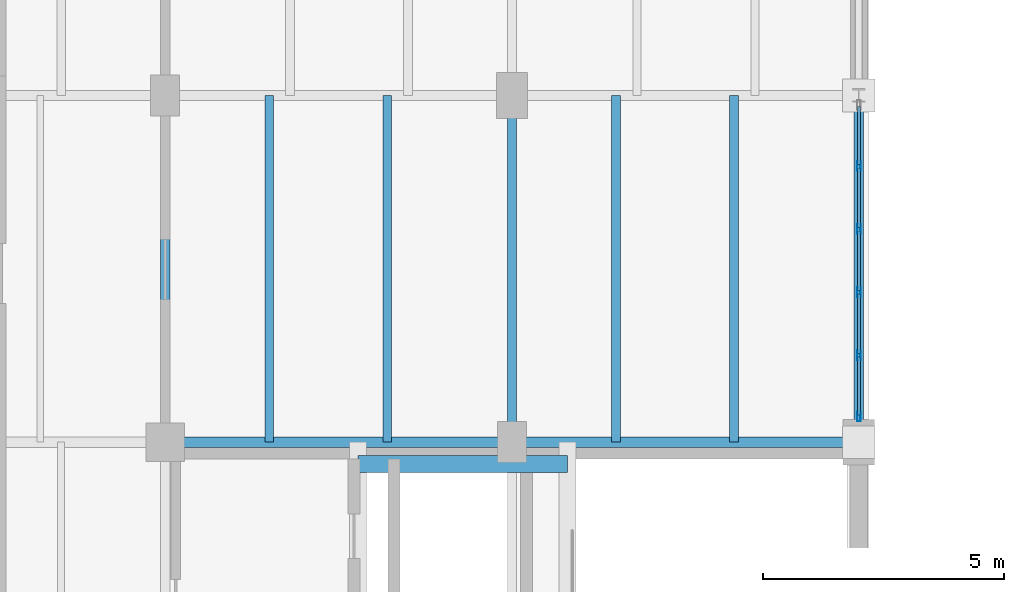
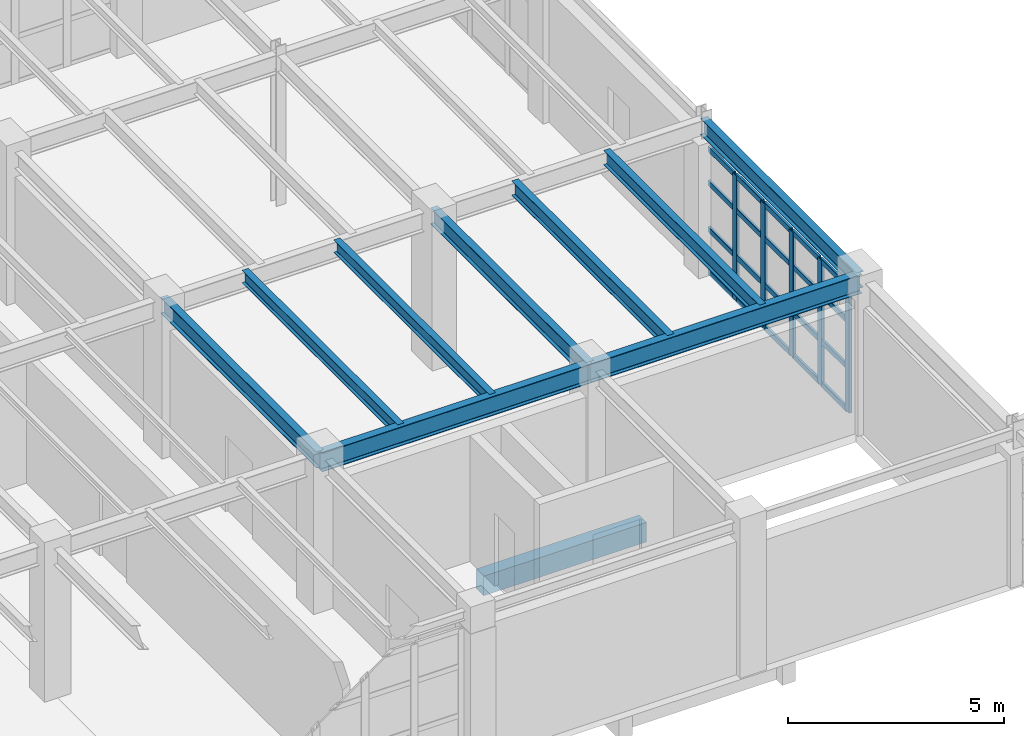
# One storey, part 86 of 137: 25 members, 10 beams, 1 element without a shape of its own.
"""IFC4 building model written with IfcOpenShell, lengths in metres."""

from ifc_helpers import new_model, si_unit, direction, frame, origin, origin_2d, place, context, subcontext, project, spatial, rectangle, hollow_rectangle, i_section, extrude, material, layer, layer_set, material_profile, profile_set, type_object, element, aggregate, save


model = new_model("IFC4")

# Units and contexts
model_context = context("Model", 3, precision=1e-05, world=origin(), true_north=direction((0.0, 1.0)))
body_context = subcontext(model_context, "Body", "Model", "MODEL_VIEW")
ifc_project = project(units=[si_unit("LENGTHUNIT", "METRE"), si_unit("AREAUNIT", "SQUARE_METRE"), si_unit("VOLUMEUNIT", "CUBIC_METRE"), si_unit("PLANEANGLEUNIT", "RADIAN"), si_unit("MASSUNIT", "GRAM", prefix="KILO")], contexts=[model_context])

# Site, building, storey
site_placement = place(None, origin())
site = spatial("IfcSite", under=ifc_project, at=site_placement, CompositionType="ELEMENT")
building_placement = place(site_placement, origin())
building = spatial("IfcBuilding", under=site, at=building_placement, Name="Kemerveld Promenade Tramway Depot", CompositionType="ELEMENT")
storey_placement = place(building_placement, frame((0.0, 0.0, 5.39990234375)))
storey = spatial("IfcBuildingStorey", under=building, at=storey_placement, Name="L01", CompositionType="ELEMENT", Elevation=5.39990234375)

# Beams
ifc_material_1 = material(Name="Steel S355", Category="steel")
ifc_material_profile_1 = material_profile(ifc_material_1, i_section(OverallWidth=0.2099609375, OverallDepth=0.53662109375, WebThickness=0.0107421875, FlangeThickness=0.017333984375, FilletRadius=0.0126953125, at=origin_2d()), Name="533x210x101 UB")
ifc_profile_set_1 = profile_set([ifc_material_profile_1], Name="Steel S355")
beam_type_1 = type_object("IfcBeamType", Name="BM-G05", PredefinedType="BEAM", material=ifc_profile_set_1)
for number, where, z_axis, x_axis, name in (
    (1, (144.0, 57.60009765625, 3.9716796875), (1.0, 0.0, 0.0), (0.0, 1.0, 0.0), "BMX-L01-21-22-J"),
    (2, (151.199951171875, 57.60009765625, 3.9716796875), (1.0, 0.0, 0.0), (0.0, 1.0, 0.0), "BMX-L01-22-23-J"),
):
    element("IfcBeam", number, at=place(storey_placement, frame(where, z_axis=z_axis, x_axis=x_axis)), inside=storey, type_object=beam_type_1, Name=name, PredefinedType="BEAM", context=body_context, shape_type="SweptSolid", body=[
        extrude(i_section(OverallWidth=0.2099609375, OverallDepth=0.53662109375, WebThickness=0.0107421875, FlangeThickness=0.017333984375, FilletRadius=0.0126953125, at=origin_2d()), origin(), (0.0, 0.0, 1.0), 7.199951171875),
    ])
ifc_material_profile_2 = material_profile(ifc_material_1, i_section(OverallWidth=0.19140625, OverallDepth=0.4599609375, WebThickness=0.010009765625, FlangeThickness=0.01611328125, FilletRadius=0.01025390625, at=origin_2d()), Name="457x191x82 UB")
ifc_profile_set_2 = profile_set([ifc_material_profile_2], Name="Steel S355")
beam_type_2 = type_object("IfcBeamType", Name="BM-G06", PredefinedType="BEAM", material=ifc_profile_set_2)
for number, where, z_axis, x_axis, name in (
    (3, (144.0, 57.60009765625, 4.010009765625), (0.0, 1.0, 0.0), (-1.0, 0.0, 0.0), "BMY-L01-21-J-K"),
    (4, (151.199951171875, 57.60009765625, 4.010009765625), (0.0, 1.0, 0.0), (-1.0, 0.0, 0.0), "BMY-L01-22-J-K"),
    (5, (158.39990234375, 57.60009765625, 4.010009765625), (0.0, 1.0, 0.0), (-1.0, 0.0, 0.0), "BMY-L01-23-J-K"),
):
    element("IfcBeam", number, at=place(storey_placement, frame(where, z_axis=z_axis, x_axis=x_axis)), inside=storey, type_object=beam_type_2, Name=name, PredefinedType="BEAM", context=body_context, shape_type="SweptSolid", body=[
        extrude(i_section(OverallWidth=0.19140625, OverallDepth=0.4599609375, WebThickness=0.010009765625, FlangeThickness=0.01611328125, FilletRadius=0.01025390625, at=origin_2d()), origin(), (0.0, 0.0, 1.0), 7.199951171875),
    ])
ifc_material_profile_3 = material_profile(ifc_material_1, i_section(OverallWidth=0.172119140625, OverallDepth=0.35791015625, WebThickness=0.008056640625, FlangeThickness=0.012939453125, FilletRadius=0.01025390625, at=origin_2d()), Name="356x171x57 UB")
ifc_profile_set_3 = profile_set([ifc_material_profile_3], Name="Steel S355")
beam_type_3 = type_object("IfcBeamType", Name="BM-J04", PredefinedType="JOIST", material=ifc_profile_set_3)
for number, where, z_axis, x_axis, name in (
    (6, (146.159912109375, 57.60009765625, 4.06103515625), (0.0, 1.0, 0.0), (-1.0, 0.0, 0.0), "JST-L01-21-J-1"),
    (7, (148.60791015625, 57.60009765625, 4.06103515625), (0.0, 1.0, 0.0), (-1.0, 0.0, 0.0), "JST-L01-21-J-2"),
):
    element("IfcBeam", number, at=place(storey_placement, frame(where, z_axis=z_axis, x_axis=x_axis)), inside=storey, type_object=beam_type_3, Name=name, PredefinedType="JOIST", context=body_context, shape_type="SweptSolid", body=[
        extrude(i_section(OverallWidth=0.172119140625, OverallDepth=0.35791015625, WebThickness=0.008056640625, FlangeThickness=0.012939453125, FilletRadius=0.01025390625, at=origin_2d()), origin(), (0.0, 0.0, 1.0), 7.199951171875),
    ])
ifc_material_profile_4 = material_profile(ifc_material_1, i_section(OverallWidth=0.1787109375, OverallDepth=0.409423828125, WebThickness=0.0087890625, FlangeThickness=0.014404296875, FilletRadius=0.01025390625, at=origin_2d()), Name="406x178x67 UB")
ifc_profile_set_4 = profile_set([ifc_material_profile_4], Name="Steel S355")
beam_type_4 = type_object("IfcBeamType", Name="BM-J05", PredefinedType="JOIST", material=ifc_profile_set_4)
for number, where, z_axis, x_axis, name in (
    (8, (153.360107421875, 57.60009765625, 4.035400390625), (0.0, 1.0, 0.0), (-1.0, 0.0, 0.0), "JST-L01-22-J-1"),
    (9, (155.80810546875, 57.60009765625, 4.035400390625), (0.0, 1.0, 0.0), (-1.0, 0.0, 0.0), "JST-L01-22-J-2"),
):
    element("IfcBeam", number, at=place(storey_placement, frame(where, z_axis=z_axis, x_axis=x_axis)), inside=storey, type_object=beam_type_4, Name=name, PredefinedType="JOIST", context=body_context, shape_type="SweptSolid", body=[
        extrude(i_section(OverallWidth=0.1787109375, OverallDepth=0.409423828125, WebThickness=0.0087890625, FlangeThickness=0.014404296875, FilletRadius=0.01025390625, at=origin_2d()), origin(), (0.0, 0.0, 1.0), 7.199951171875),
    ])
ifc_material_2 = material(Name="Concrete C40/50", Category="concrete")
ifc_material_profile_5 = material_profile(ifc_material_2, rectangle(XDim=0.35009765625, YDim=0.550048828125, at=origin_2d()), Name="RC-BM-350x550")
ifc_profile_set_5 = profile_set([ifc_material_profile_5], Name="Concrete C40/50")
beam_type_5 = type_object("IfcBeamType", Name="BM-RC3", PredefinedType="BEAM", material=ifc_profile_set_5)
beam_placement = place(storey_placement, frame((148.0, 57.14990234375, -0.599853515625), z_axis=(1.0, 0.0, 0.0), x_axis=(0.0, 1.0, 0.0)))
element("IfcBeam", 10, at=beam_placement, inside=storey, type_object=beam_type_5, Name="BM-COREX-C6-L01-N", PredefinedType="BEAM", context=body_context, shape_type="SweptSolid", body=[
    extrude(rectangle(XDim=0.35009765625, YDim=0.550048828125, at=origin_2d()), origin(), (0.0, 0.0, 1.0), 4.35009765625),
])

# Curtain wall, members
ifc_material_3 = material(Name="Bronze anodised aluminium and solar glass", Category="aluminium")
ifc_layer = layer(ifc_material_3, 0.199951171875)
ifc_layer_set = layer_set([ifc_layer], Name="CW-SYS-06")
curtain_wall_type = type_object("IfcCurtainWallType", Name="CW-SYS-06", PredefinedType="USERDEFINED", material=ifc_layer_set)
curtain_wall_placement = place(storey_placement, origin())
curtain_wall = element("IfcCurtainWall", 11, at=curtain_wall_placement, inside=storey, type_object=curtain_wall_type, Name="CW-L01-V3E-03", ObjectType="GLAZED_CURTAIN_WALL", PredefinedType="USERDEFINED")
ifc_material_4 = material(Name="Bronze anodised aluminium", Category="aluminium")
ifc_material_profile_6 = material_profile(ifc_material_4, hollow_rectangle(XDim=0.074951171875, YDim=0.199951171875, WallThickness=0.0048828125, InnerFilletRadius=0.001953125, OuterFilletRadius=0.0048828125, at=origin_2d()), Name="CW-MUL-200x75")
ifc_profile_set_6 = profile_set([ifc_material_profile_6], Name="Bronze anodised aluminium")
member_type_1 = type_object("IfcMemberType", Name="CW-MUL-B", PredefinedType="MULLION", material=ifc_profile_set_6)
member_1_placement = place(storey_placement, frame((158.39990234375, 63.33251953125, 0.0), z_axis=(0.0, 0.0, 1.0), x_axis=(1.0, 0.0, 0.0)))
member_1 = element("IfcMember", 12, at=member_1_placement, type_object=member_type_1, Name="CW06 mullion 2", PredefinedType="MULLION", context=body_context, shape_type="SweptSolid", body=[
    extrude(hollow_rectangle(XDim=0.074951171875, YDim=0.199951171875, WallThickness=0.0048828125, InnerFilletRadius=0.001953125, OuterFilletRadius=0.0048828125, at=origin_2d()), origin(), (0.0, 0.0, 1.0), 3.53271484375),
])
member_2_placement = place(storey_placement, frame((158.39990234375, 62.023193359375, 0.0), z_axis=(0.0, 0.0, 1.0), x_axis=(1.0, 0.0, 0.0)))
member_2 = element("IfcMember", 13, at=member_2_placement, type_object=member_type_1, Name="CW06 mullion 3", PredefinedType="MULLION", context=body_context, shape_type="SweptSolid", body=[
    extrude(hollow_rectangle(XDim=0.074951171875, YDim=0.199951171875, WallThickness=0.0048828125, InnerFilletRadius=0.001953125, OuterFilletRadius=0.0048828125, at=origin_2d()), origin(), (0.0, 0.0, 1.0), 3.53271484375),
])
member_3_placement = place(storey_placement, frame((158.39990234375, 60.713623046875, 0.0), z_axis=(0.0, 0.0, 1.0), x_axis=(1.0, 0.0, 0.0)))
member_3 = element("IfcMember", 14, at=member_3_placement, type_object=member_type_1, Name="CW06 mullion 4", PredefinedType="MULLION", context=body_context, shape_type="SweptSolid", body=[
    extrude(hollow_rectangle(XDim=0.074951171875, YDim=0.199951171875, WallThickness=0.0048828125, InnerFilletRadius=0.001953125, OuterFilletRadius=0.0048828125, at=origin_2d()), origin(), (0.0, 0.0, 1.0), 3.53271484375),
])
member_4_placement = place(storey_placement, frame((158.39990234375, 59.404296875, 0.0), z_axis=(0.0, 0.0, 1.0), x_axis=(1.0, 0.0, 0.0)))
member_4 = element("IfcMember", 15, at=member_4_placement, type_object=member_type_1, Name="CW06 mullion 5", PredefinedType="MULLION", context=body_context, shape_type="SweptSolid", body=[
    extrude(hollow_rectangle(XDim=0.074951171875, YDim=0.199951171875, WallThickness=0.0048828125, InnerFilletRadius=0.001953125, OuterFilletRadius=0.0048828125, at=origin_2d()), origin(), (0.0, 0.0, 1.0), 3.53271484375),
])
member_5_placement = place(storey_placement, frame((158.39990234375, 58.132568359375, 0.0), z_axis=(0.0, 0.0, 1.0), x_axis=(1.0, 0.0, 0.0)))
member_5 = element("IfcMember", 16, at=member_5_placement, type_object=member_type_1, Name="CW06 mullion 6", PredefinedType="MULLION", context=body_context, shape_type="SweptSolid", body=[
    extrude(hollow_rectangle(XDim=0.074951171875, YDim=0.199951171875, WallThickness=0.0048828125, InnerFilletRadius=0.001953125, OuterFilletRadius=0.0048828125, at=origin_2d()), origin(), (0.0, 0.0, 1.0), 3.53271484375),
])
ifc_material_profile_7 = material_profile(ifc_material_4, hollow_rectangle(XDim=0.06494140625, YDim=0.14990234375, WallThickness=0.00439453125, InnerFilletRadius=0.001953125, OuterFilletRadius=0.00439453125, at=origin_2d()), Name="CW-TRN-150x65")
ifc_profile_set_7 = profile_set([ifc_material_profile_7], Name="Bronze anodised aluminium")
member_type_2 = type_object("IfcMemberType", Name="CW-TRN-B", PredefinedType="USERDEFINED", material=ifc_profile_set_7)
member_6_placement = place(storey_placement, frame((158.39990234375, 64.56689453125, 0.03271484375), z_axis=(0.0, -1.0, 0.0), x_axis=(1.0, 0.0, 0.0)))
member_6 = element("IfcMember", 17, at=member_6_placement, type_object=member_type_2, Name="CW06 transom 1.1", ObjectType="TRANSOM", PredefinedType="USERDEFINED", context=body_context, shape_type="SweptSolid", body=[
    extrude(hollow_rectangle(XDim=0.06494140625, YDim=0.14990234375, WallThickness=0.00439453125, InnerFilletRadius=0.001953125, OuterFilletRadius=0.00439453125, at=origin_2d()), origin(), (0.0, 0.0, 1.0), 1.197021484375),
])
member_7_placement = place(storey_placement, frame((158.39990234375, 64.56689453125, 1.236083984375), z_axis=(0.0, -1.0, 0.0), x_axis=(1.0, 0.0, 0.0)))
member_7 = element("IfcMember", 18, at=member_7_placement, type_object=member_type_2, Name="CW06 transom 1.2", ObjectType="TRANSOM", PredefinedType="USERDEFINED", context=body_context, shape_type="SweptSolid", body=[
    extrude(hollow_rectangle(XDim=0.06494140625, YDim=0.14990234375, WallThickness=0.00439453125, InnerFilletRadius=0.001953125, OuterFilletRadius=0.00439453125, at=origin_2d()), origin(), (0.0, 0.0, 1.0), 1.197021484375),
])
member_8_placement = place(storey_placement, frame((158.39990234375, 64.56689453125, 2.543212890625), z_axis=(0.0, -1.0, 0.0), x_axis=(1.0, 0.0, 0.0)))
member_8 = element("IfcMember", 19, at=member_8_placement, type_object=member_type_2, Name="CW06 transom 1.3", ObjectType="TRANSOM", PredefinedType="USERDEFINED", context=body_context, shape_type="SweptSolid", body=[
    extrude(hollow_rectangle(XDim=0.06494140625, YDim=0.14990234375, WallThickness=0.00439453125, InnerFilletRadius=0.001953125, OuterFilletRadius=0.00439453125, at=origin_2d()), origin(), (0.0, 0.0, 1.0), 1.197021484375),
])
member_9_placement = place(storey_placement, frame((158.39990234375, 64.56689453125, 3.500244140625), z_axis=(0.0, -1.0, 0.0), x_axis=(1.0, 0.0, 0.0)))
member_9 = element("IfcMember", 20, at=member_9_placement, type_object=member_type_2, Name="CW06 transom 1.4", ObjectType="TRANSOM", PredefinedType="USERDEFINED", context=body_context, shape_type="SweptSolid", body=[
    extrude(hollow_rectangle(XDim=0.06494140625, YDim=0.14990234375, WallThickness=0.00439453125, InnerFilletRadius=0.001953125, OuterFilletRadius=0.00439453125, at=origin_2d()), origin(), (0.0, 0.0, 1.0), 1.197021484375),
])
member_10_placement = place(storey_placement, frame((158.39990234375, 63.294921875, 0.03271484375), z_axis=(0.0, -1.0, 0.0), x_axis=(1.0, 0.0, 0.0)))
member_10 = element("IfcMember", 21, at=member_10_placement, type_object=member_type_2, Name="CW06 transom 2.1", ObjectType="TRANSOM", PredefinedType="USERDEFINED", context=body_context, shape_type="SweptSolid", body=[
    extrude(hollow_rectangle(XDim=0.06494140625, YDim=0.14990234375, WallThickness=0.00439453125, InnerFilletRadius=0.001953125, OuterFilletRadius=0.00439453125, at=origin_2d()), origin(), (0.0, 0.0, 1.0), 1.234375),
])
member_11_placement = place(storey_placement, frame((158.39990234375, 63.294921875, 1.236083984375), z_axis=(0.0, -1.0, 0.0), x_axis=(1.0, 0.0, 0.0)))
member_11 = element("IfcMember", 22, at=member_11_placement, type_object=member_type_2, Name="CW06 transom 2.2", ObjectType="TRANSOM", PredefinedType="USERDEFINED", context=body_context, shape_type="SweptSolid", body=[
    extrude(hollow_rectangle(XDim=0.06494140625, YDim=0.14990234375, WallThickness=0.00439453125, InnerFilletRadius=0.001953125, OuterFilletRadius=0.00439453125, at=origin_2d()), origin(), (0.0, 0.0, 1.0), 1.234375),
])
member_12_placement = place(storey_placement, frame((158.39990234375, 63.294921875, 2.543212890625), z_axis=(0.0, -1.0, 0.0), x_axis=(1.0, 0.0, 0.0)))
member_12 = element("IfcMember", 23, at=member_12_placement, type_object=member_type_2, Name="CW06 transom 2.3", ObjectType="TRANSOM", PredefinedType="USERDEFINED", context=body_context, shape_type="SweptSolid", body=[
    extrude(hollow_rectangle(XDim=0.06494140625, YDim=0.14990234375, WallThickness=0.00439453125, InnerFilletRadius=0.001953125, OuterFilletRadius=0.00439453125, at=origin_2d()), origin(), (0.0, 0.0, 1.0), 1.234375),
])
member_13_placement = place(storey_placement, frame((158.39990234375, 63.294921875, 3.500244140625), z_axis=(0.0, -1.0, 0.0), x_axis=(1.0, 0.0, 0.0)))
member_13 = element("IfcMember", 24, at=member_13_placement, type_object=member_type_2, Name="CW06 transom 2.4", ObjectType="TRANSOM", PredefinedType="USERDEFINED", context=body_context, shape_type="SweptSolid", body=[
    extrude(hollow_rectangle(XDim=0.06494140625, YDim=0.14990234375, WallThickness=0.00439453125, InnerFilletRadius=0.001953125, OuterFilletRadius=0.00439453125, at=origin_2d()), origin(), (0.0, 0.0, 1.0), 1.234375),
])
member_14_placement = place(storey_placement, frame((158.39990234375, 61.985595703125, 0.03271484375), z_axis=(0.0, -1.0, 0.0), x_axis=(1.0, 0.0, 0.0)))
member_14 = element("IfcMember", 25, at=member_14_placement, type_object=member_type_2, Name="CW06 transom 3.1", ObjectType="TRANSOM", PredefinedType="USERDEFINED", context=body_context, shape_type="SweptSolid", body=[
    extrude(hollow_rectangle(XDim=0.06494140625, YDim=0.14990234375, WallThickness=0.00439453125, InnerFilletRadius=0.001953125, OuterFilletRadius=0.00439453125, at=origin_2d()), origin(), (0.0, 0.0, 1.0), 1.234375),
])
member_15_placement = place(storey_placement, frame((158.39990234375, 61.985595703125, 1.236083984375), z_axis=(0.0, -1.0, 0.0), x_axis=(1.0, 0.0, 0.0)))
member_15 = element("IfcMember", 26, at=member_15_placement, type_object=member_type_2, Name="CW06 transom 3.2", ObjectType="TRANSOM", PredefinedType="USERDEFINED", context=body_context, shape_type="SweptSolid", body=[
    extrude(hollow_rectangle(XDim=0.06494140625, YDim=0.14990234375, WallThickness=0.00439453125, InnerFilletRadius=0.001953125, OuterFilletRadius=0.00439453125, at=origin_2d()), origin(), (0.0, 0.0, 1.0), 1.234375),
])
member_16_placement = place(storey_placement, frame((158.39990234375, 61.985595703125, 2.543212890625), z_axis=(0.0, -1.0, 0.0), x_axis=(1.0, 0.0, 0.0)))
member_16 = element("IfcMember", 27, at=member_16_placement, type_object=member_type_2, Name="CW06 transom 3.3", ObjectType="TRANSOM", PredefinedType="USERDEFINED", context=body_context, shape_type="SweptSolid", body=[
    extrude(hollow_rectangle(XDim=0.06494140625, YDim=0.14990234375, WallThickness=0.00439453125, InnerFilletRadius=0.001953125, OuterFilletRadius=0.00439453125, at=origin_2d()), origin(), (0.0, 0.0, 1.0), 1.234375),
])
member_17_placement = place(storey_placement, frame((158.39990234375, 61.985595703125, 3.500244140625), z_axis=(0.0, -1.0, 0.0), x_axis=(1.0, 0.0, 0.0)))
member_17 = element("IfcMember", 28, at=member_17_placement, type_object=member_type_2, Name="CW06 transom 3.4", ObjectType="TRANSOM", PredefinedType="USERDEFINED", context=body_context, shape_type="SweptSolid", body=[
    extrude(hollow_rectangle(XDim=0.06494140625, YDim=0.14990234375, WallThickness=0.00439453125, InnerFilletRadius=0.001953125, OuterFilletRadius=0.00439453125, at=origin_2d()), origin(), (0.0, 0.0, 1.0), 1.234375),
])
member_18_placement = place(storey_placement, frame((158.39990234375, 60.67626953125, 0.03271484375), z_axis=(0.0, -1.0, 0.0), x_axis=(1.0, 0.0, 0.0)))
member_18 = element("IfcMember", 29, at=member_18_placement, type_object=member_type_2, Name="CW06 transom 4.1", ObjectType="TRANSOM", PredefinedType="USERDEFINED", context=body_context, shape_type="SweptSolid", body=[
    extrude(hollow_rectangle(XDim=0.06494140625, YDim=0.14990234375, WallThickness=0.00439453125, InnerFilletRadius=0.001953125, OuterFilletRadius=0.00439453125, at=origin_2d()), origin(), (0.0, 0.0, 1.0), 1.234375),
])
member_19_placement = place(storey_placement, frame((158.39990234375, 60.67626953125, 1.236083984375), z_axis=(0.0, -1.0, 0.0), x_axis=(1.0, 0.0, 0.0)))
member_19 = element("IfcMember", 30, at=member_19_placement, type_object=member_type_2, Name="CW06 transom 4.2", ObjectType="TRANSOM", PredefinedType="USERDEFINED", context=body_context, shape_type="SweptSolid", body=[
    extrude(hollow_rectangle(XDim=0.06494140625, YDim=0.14990234375, WallThickness=0.00439453125, InnerFilletRadius=0.001953125, OuterFilletRadius=0.00439453125, at=origin_2d()), origin(), (0.0, 0.0, 1.0), 1.234375),
])
member_20_placement = place(storey_placement, frame((158.39990234375, 60.67626953125, 2.543212890625), z_axis=(0.0, -1.0, 0.0), x_axis=(1.0, 0.0, 0.0)))
member_20 = element("IfcMember", 31, at=member_20_placement, type_object=member_type_2, Name="CW06 transom 4.3", ObjectType="TRANSOM", PredefinedType="USERDEFINED", context=body_context, shape_type="SweptSolid", body=[
    extrude(hollow_rectangle(XDim=0.06494140625, YDim=0.14990234375, WallThickness=0.00439453125, InnerFilletRadius=0.001953125, OuterFilletRadius=0.00439453125, at=origin_2d()), origin(), (0.0, 0.0, 1.0), 1.234375),
])
member_21_placement = place(storey_placement, frame((158.39990234375, 60.67626953125, 3.500244140625), z_axis=(0.0, -1.0, 0.0), x_axis=(1.0, 0.0, 0.0)))
member_21 = element("IfcMember", 32, at=member_21_placement, type_object=member_type_2, Name="CW06 transom 4.4", ObjectType="TRANSOM", PredefinedType="USERDEFINED", context=body_context, shape_type="SweptSolid", body=[
    extrude(hollow_rectangle(XDim=0.06494140625, YDim=0.14990234375, WallThickness=0.00439453125, InnerFilletRadius=0.001953125, OuterFilletRadius=0.00439453125, at=origin_2d()), origin(), (0.0, 0.0, 1.0), 1.234375),
])
member_22_placement = place(storey_placement, frame((158.39990234375, 59.366943359375, 0.03271484375), z_axis=(0.0, -1.0, 0.0), x_axis=(1.0, 0.0, 0.0)))
member_22 = element("IfcMember", 33, at=member_22_placement, type_object=member_type_2, Name="CW06 transom 5.1", ObjectType="TRANSOM", PredefinedType="USERDEFINED", context=body_context, shape_type="SweptSolid", body=[
    extrude(hollow_rectangle(XDim=0.06494140625, YDim=0.14990234375, WallThickness=0.00439453125, InnerFilletRadius=0.001953125, OuterFilletRadius=0.00439453125, at=origin_2d()), origin(), (0.0, 0.0, 1.0), 1.197021484375),
])
member_23_placement = place(storey_placement, frame((158.39990234375, 59.366943359375, 1.236083984375), z_axis=(0.0, -1.0, 0.0), x_axis=(1.0, 0.0, 0.0)))
member_23 = element("IfcMember", 34, at=member_23_placement, type_object=member_type_2, Name="CW06 transom 5.2", ObjectType="TRANSOM", PredefinedType="USERDEFINED", context=body_context, shape_type="SweptSolid", body=[
    extrude(hollow_rectangle(XDim=0.06494140625, YDim=0.14990234375, WallThickness=0.00439453125, InnerFilletRadius=0.001953125, OuterFilletRadius=0.00439453125, at=origin_2d()), origin(), (0.0, 0.0, 1.0), 1.197021484375),
])
member_24_placement = place(storey_placement, frame((158.39990234375, 59.366943359375, 2.543212890625), z_axis=(0.0, -1.0, 0.0), x_axis=(1.0, 0.0, 0.0)))
member_24 = element("IfcMember", 35, at=member_24_placement, type_object=member_type_2, Name="CW06 transom 5.3", ObjectType="TRANSOM", PredefinedType="USERDEFINED", context=body_context, shape_type="SweptSolid", body=[
    extrude(hollow_rectangle(XDim=0.06494140625, YDim=0.14990234375, WallThickness=0.00439453125, InnerFilletRadius=0.001953125, OuterFilletRadius=0.00439453125, at=origin_2d()), origin(), (0.0, 0.0, 1.0), 1.197021484375),
])
member_25_placement = place(storey_placement, frame((158.39990234375, 59.366943359375, 3.500244140625), z_axis=(0.0, -1.0, 0.0), x_axis=(1.0, 0.0, 0.0)))
member_25 = element("IfcMember", 36, at=member_25_placement, type_object=member_type_2, Name="CW06 transom 5.4", ObjectType="TRANSOM", PredefinedType="USERDEFINED", context=body_context, shape_type="SweptSolid", body=[
    extrude(hollow_rectangle(XDim=0.06494140625, YDim=0.14990234375, WallThickness=0.00439453125, InnerFilletRadius=0.001953125, OuterFilletRadius=0.00439453125, at=origin_2d()), origin(), (0.0, 0.0, 1.0), 1.197021484375),
])
aggregate(curtain_wall, [member_1, member_2, member_3, member_4, member_5, member_6, member_7, member_8, member_9, member_10, member_11, member_12, member_13, member_14, member_15, member_16, member_17, member_18, member_19, member_20, member_21, member_22, member_23, member_24, member_25])

save(model, "model.ifc")
